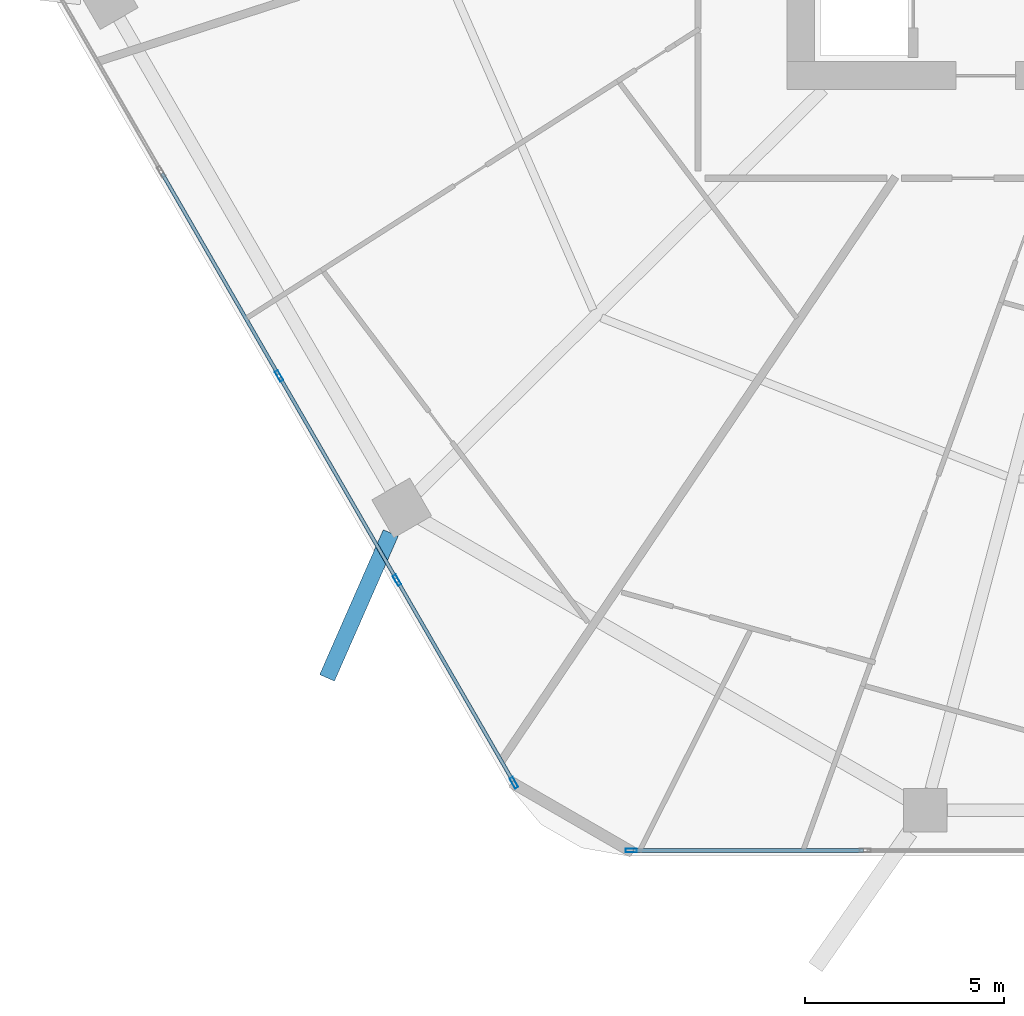
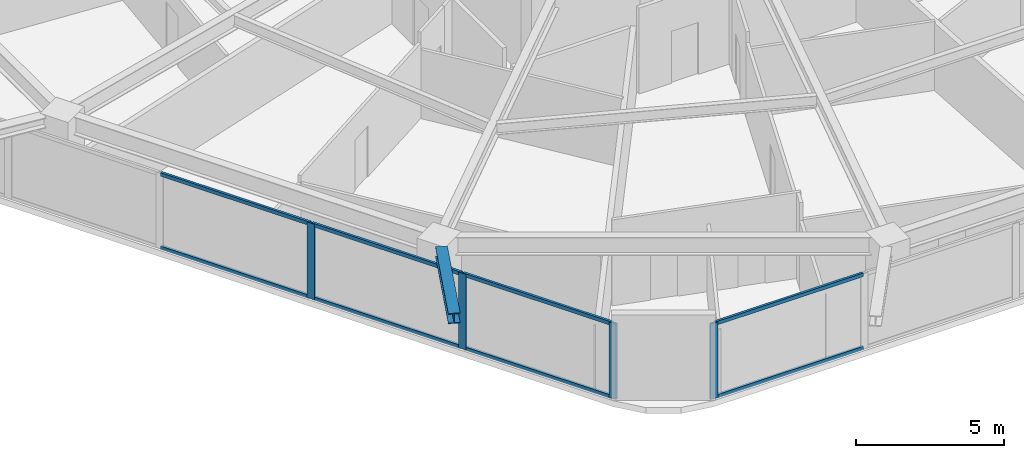
# One storey, part 2 of 32: 12 members, 1 beam, 2 elements without a shape of their own.
"""IFC4 building model written with IfcOpenShell, lengths in metres."""

from ifc_helpers import new_model, si_unit, direction, frame, origin, origin_2d, place, context, subcontext, project, spatial, hollow_rectangle, i_section, extrude, material, material_profile, profile_set, type_object, element, aggregate, save


model = new_model("IFC4")

# Units and contexts
model_context = context("Model", 3, precision=1e-05, world=origin(), true_north=direction((0.0, 1.0)))
body_context = subcontext(model_context, "Body", "Model", "MODEL_VIEW")
ifc_project = project(units=[si_unit("LENGTHUNIT", "METRE"), si_unit("AREAUNIT", "SQUARE_METRE"), si_unit("VOLUMEUNIT", "CUBIC_METRE"), si_unit("PLANEANGLEUNIT", "RADIAN"), si_unit("MASSUNIT", "GRAM", prefix="KILO")], contexts=[model_context])

# Site, building, storey
site_placement = place(None, origin())
site = spatial("IfcSite", under=ifc_project, at=site_placement, CompositionType="ELEMENT")
building_placement = place(site_placement, origin())
building = spatial("IfcBuilding", under=site, at=building_placement, Name="Zuhravey Tower", CompositionType="ELEMENT")
storey_placement = place(building_placement, frame((0.0, 0.0, 119.0)))
storey = spatial("IfcBuildingStorey", under=building, at=storey_placement, Name="L29", CompositionType="ELEMENT", Elevation=119.0)

# Curtain wall, member
ifc_material_1 = material(Name="Thermally broken anodised aluminium", Category="aluminium")
curtain_wall_type = type_object("IfcCurtainWallType", Name="Zone 1-2 Residential Curtain Wall CW3", PredefinedType="NOTDEFINED", material=ifc_material_1)
curtain_wall_1_placement = place(storey_placement, origin())
curtain_wall_1 = element("IfcCurtainWall", 1, at=curtain_wall_1_placement, inside=storey, type_object=curtain_wall_type, Name="L29 CW3 CW-L29-F5-1", PredefinedType="NOTDEFINED")
ifc_material_2 = material(Name="Anodised aluminium", Category="aluminium")
ifc_material_profile_1 = material_profile(ifc_material_2, hollow_rectangle(XDim=0.090087890625, YDim=0.284912109375, WallThickness=0.0048828125, at=origin_2d()), Name="ALU-RHS-90x285x5")
ifc_profile_set_1 = profile_set([ifc_material_profile_1], Name="Anodised aluminium")
member_type_1 = type_object("IfcMemberType", Name="Curtain-Wall Mullion 90x180", PredefinedType="MULLION", material=ifc_profile_set_1)
member_1_placement = place(storey_placement, frame((21.24560546875, 3.04150390625, 0.0), z_axis=(0.0, 0.0, 1.0), x_axis=(0.0, -1.0, 0.0)))
member_1 = element("IfcMember", 2, at=member_1_placement, type_object=member_type_1, Name="CW3 mullion 6", PredefinedType="MULLION", context=body_context, shape_type="SweptSolid", body=[
    extrude(hollow_rectangle(XDim=0.090087890625, YDim=0.284912109375, WallThickness=0.0048828125, at=origin_2d()), origin(), (0.0, 0.0, 1.0), 3.1220703125),
])

# Curtain wall, members
curtain_wall_2_placement = place(storey_placement, origin())
curtain_wall_2 = element("IfcCurtainWall", 3, at=curtain_wall_2_placement, inside=storey, type_object=curtain_wall_type, Name="L29 CW3 CW-L29-F4-1", PredefinedType="NOTDEFINED")
member_2_placement = place(storey_placement, frame((18.298583984375, 4.742919921875, 0.0), z_axis=(0.0, 0.0, 1.0), x_axis=(-0.86602552265, -0.499999794119, 0.0)))
member_2 = element("IfcMember", 4, at=member_2_placement, type_object=member_type_1, Name="CW3 mullion 1", PredefinedType="MULLION", context=body_context, shape_type="SweptSolid", body=[
    extrude(hollow_rectangle(XDim=0.090087890625, YDim=0.284912109375, WallThickness=0.0048828125, at=origin_2d()), origin(), (0.0, 0.0, 1.0), 3.1220703125),
])
member_3_placement = place(storey_placement, frame((15.361083984375, 9.830810546875, 0.0), z_axis=(0.0, 0.0, 1.0), x_axis=(-0.86602552265, -0.499999794119, 0.0)))
member_3 = element("IfcMember", 5, at=member_3_placement, type_object=member_type_1, Name="CW3 mullion 2", PredefinedType="MULLION", context=body_context, shape_type="SweptSolid", body=[
    extrude(hollow_rectangle(XDim=0.090087890625, YDim=0.284912109375, WallThickness=0.0048828125, at=origin_2d()), origin(), (0.0, 0.0, 1.0), 3.1220703125),
])
member_4_placement = place(storey_placement, frame((12.401123046875, 14.95751953125, 0.0), z_axis=(0.0, 0.0, 1.0), x_axis=(-0.86602552265, -0.499999794119, 0.0)))
member_4 = element("IfcMember", 6, at=member_4_placement, type_object=member_type_1, Name="CW3 mullion 3", PredefinedType="MULLION", context=body_context, shape_type="SweptSolid", body=[
    extrude(hollow_rectangle(XDim=0.090087890625, YDim=0.284912109375, WallThickness=0.0048828125, at=origin_2d()), origin(), (0.0, 0.0, 1.0), 3.1220703125),
])

# Member
ifc_material_profile_2 = material_profile(ifc_material_2, hollow_rectangle(XDim=0.090087890625, YDim=0.14990234375, WallThickness=0.0048828125, at=origin_2d()), Name="ALU-RHS-90x150x5")
ifc_profile_set_2 = profile_set([ifc_material_profile_2], Name="Anodised aluminium")
member_type_2 = type_object("IfcMemberType", Name="Curtain-Wall Transom 90x150", PredefinedType="USERDEFINED", material=ifc_profile_set_2)
member_5_placement = place(storey_placement, frame((27.0751953125, 3.04150390625, 0.044921875), z_axis=(-1.0, 0.0, 0.0), x_axis=(0.0, -1.0, 0.0)))
member_5 = element("IfcMember", 7, at=member_5_placement, type_object=member_type_2, Name="CW3 transom 5.1", ObjectType="TRANSOM", PredefinedType="USERDEFINED", context=body_context, shape_type="SweptSolid", body=[
    extrude(hollow_rectangle(XDim=0.090087890625, YDim=0.14990234375, WallThickness=0.0048828125, at=origin_2d()), origin(), (0.0, 0.0, 1.0), 5.78466796875),
])

member_6_placement = place(storey_placement, frame((27.0751953125, 3.04150390625, 3.076904296875), z_axis=(-1.0, 0.0, 0.0), x_axis=(0.0, -1.0, 0.0)))
member_6 = element("IfcMember", 8, at=member_6_placement, type_object=member_type_2, Name="CW3 transom 5.2", ObjectType="TRANSOM", PredefinedType="USERDEFINED", context=body_context, shape_type="SweptSolid", body=[
    extrude(hollow_rectangle(XDim=0.090087890625, YDim=0.14990234375, WallThickness=0.0048828125, at=origin_2d()), origin(), (0.0, 0.0, 1.0), 5.78466796875),
])

aggregate(curtain_wall_1, [member_1, member_5, member_6])

member_7_placement = place(storey_placement, frame((18.27587890625, 4.781982421875, 0.044921875), z_axis=(-0.499992798144, 0.866029561738, 0.0), x_axis=(-0.866029561738, -0.499992798144, 0.0)))
member_7 = element("IfcMember", 9, at=member_7_placement, type_object=member_type_2, Name="CW3 transom 1.1", ObjectType="TRANSOM", PredefinedType="USERDEFINED", context=body_context, shape_type="SweptSolid", body=[
    extrude(hollow_rectangle(XDim=0.090087890625, YDim=0.14990234375, WallThickness=0.0048828125, at=origin_2d()), origin(), (0.0, 0.0, 1.0), 5.78466796875),
])

member_8_placement = place(storey_placement, frame((18.27587890625, 4.781982421875, 3.076904296875), z_axis=(-0.499992798144, 0.866029561738, 0.0), x_axis=(-0.866029561738, -0.499992798144, 0.0)))
member_8 = element("IfcMember", 10, at=member_8_placement, type_object=member_type_2, Name="CW3 transom 1.2", ObjectType="TRANSOM", PredefinedType="USERDEFINED", context=body_context, shape_type="SweptSolid", body=[
    extrude(hollow_rectangle(XDim=0.090087890625, YDim=0.14990234375, WallThickness=0.0048828125, at=origin_2d()), origin(), (0.0, 0.0, 1.0), 5.78466796875),
])

member_9_placement = place(storey_placement, frame((15.338623046875, 9.86962890625, 0.044921875), z_axis=(-0.500012451049, 0.866018215049, 0.0), x_axis=(-0.866018215049, -0.500012451049, 0.0)))
member_9 = element("IfcMember", 11, at=member_9_placement, type_object=member_type_2, Name="CW3 transom 2.1", ObjectType="TRANSOM", PredefinedType="USERDEFINED", context=body_context, shape_type="SweptSolid", body=[
    extrude(hollow_rectangle(XDim=0.090087890625, YDim=0.14990234375, WallThickness=0.0048828125, at=origin_2d()), origin(), (0.0, 0.0, 1.0), 5.829833984375),
])

member_10_placement = place(storey_placement, frame((15.338623046875, 9.86962890625, 3.076904296875), z_axis=(-0.500012451049, 0.866018215049, 0.0), x_axis=(-0.866018215049, -0.500012451049, 0.0)))
member_10 = element("IfcMember", 12, at=member_10_placement, type_object=member_type_2, Name="CW3 transom 2.2", ObjectType="TRANSOM", PredefinedType="USERDEFINED", context=body_context, shape_type="SweptSolid", body=[
    extrude(hollow_rectangle(XDim=0.090087890625, YDim=0.14990234375, WallThickness=0.0048828125, at=origin_2d()), origin(), (0.0, 0.0, 1.0), 5.829833984375),
])

member_11_placement = place(storey_placement, frame((12.378662109375, 14.996337890625, 0.044921875), z_axis=(-0.499981042766, 0.866036348472, 0.0), x_axis=(-0.866036348472, -0.499981042766, 0.0)))
member_11 = element("IfcMember", 13, at=member_11_placement, type_object=member_type_2, Name="CW3 transom 3.1", ObjectType="TRANSOM", PredefinedType="USERDEFINED", context=body_context, shape_type="SweptSolid", body=[
    extrude(hollow_rectangle(XDim=0.090087890625, YDim=0.14990234375, WallThickness=0.0048828125, at=origin_2d()), origin(), (0.0, 0.0, 1.0), 5.829833984375),
])

member_12_placement = place(storey_placement, frame((12.378662109375, 14.996337890625, 3.076904296875), z_axis=(-0.499981042766, 0.866036348472, 0.0), x_axis=(-0.866036348472, -0.499981042766, 0.0)))
member_12 = element("IfcMember", 14, at=member_12_placement, type_object=member_type_2, Name="CW3 transom 3.2", ObjectType="TRANSOM", PredefinedType="USERDEFINED", context=body_context, shape_type="SweptSolid", body=[
    extrude(hollow_rectangle(XDim=0.090087890625, YDim=0.14990234375, WallThickness=0.0048828125, at=origin_2d()), origin(), (0.0, 0.0, 1.0), 5.829833984375),
])

aggregate(curtain_wall_2, [member_2, member_3, member_4, member_7, member_8, member_9, member_10, member_11, member_12])

# Beam
ifc_material_3 = material(Name="Steel SM460", Category="steel")
ifc_material_profile_3 = material_profile(ifc_material_3, i_section(OverallWidth=0.406982421875, OverallDepth=0.427978515625, WebThickness=0.02001953125, FlangeThickness=0.034912109375, at=origin_2d()), Name="H-428x407x20x35")
ifc_profile_set_3 = profile_set([ifc_material_profile_3], Name="Steel SM460")
beam_type = type_object("IfcBeamType", Name="Exoskeleton Node Tie Beam H428x407", PredefinedType="BEAM", material=ifc_profile_set_3)
beam_placement = place(storey_placement, frame((15.204833984375, 11.014892578125, 3.3359375), z_axis=(-0.402345456296, -0.915487921164, 0.0), x_axis=(0.915487921164, -0.402345456296, 0.0)))
element("IfcBeam", 15, at=beam_placement, inside=storey, type_object=beam_type, Name="L29 Exoskeleton Node Tie NT1-08", PredefinedType="BEAM", context=body_context, shape_type="SweptSolid", body=[
    extrude(i_section(OverallWidth=0.406982421875, OverallDepth=0.427978515625, WebThickness=0.02001953125, FlangeThickness=0.034912109375, at=origin_2d()), origin(), (0.0, 0.0, 1.0), 3.97509765625),
])

save(model, "model.ifc")
